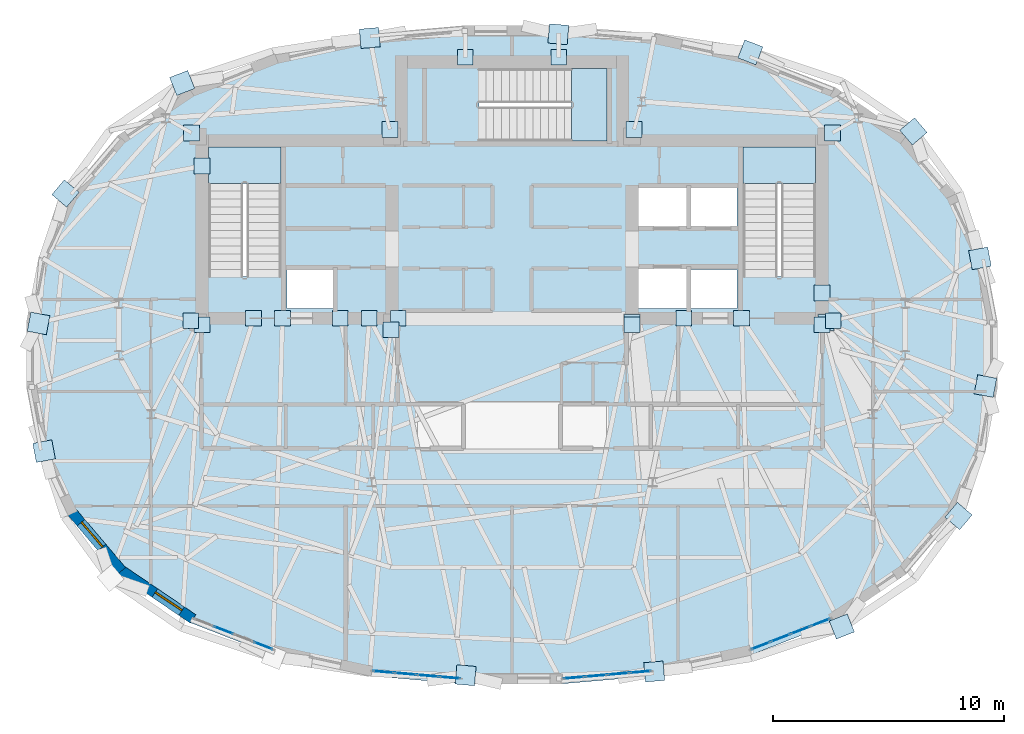
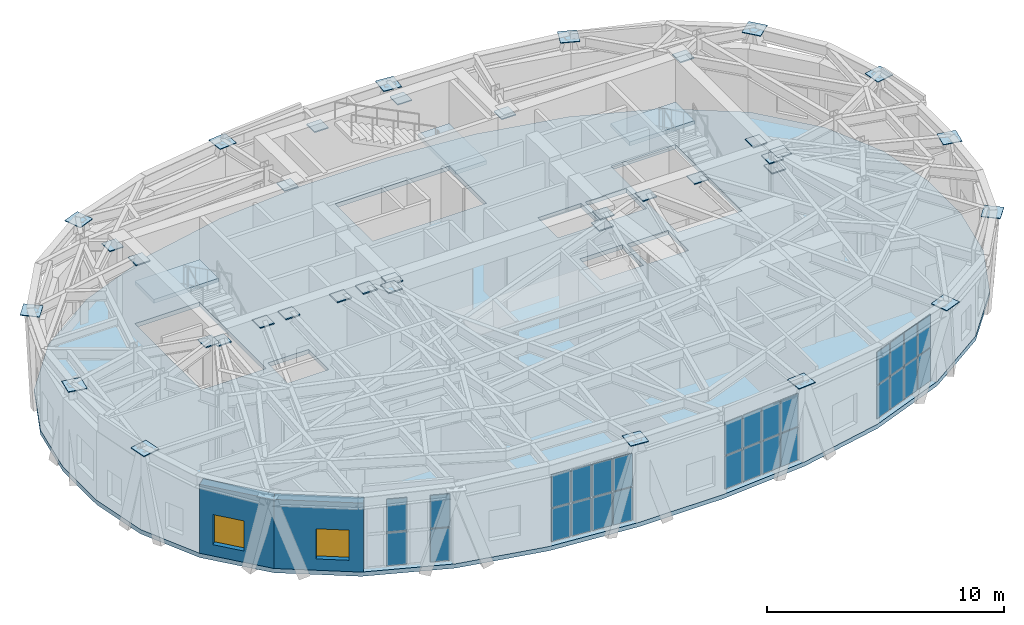
# One storey, part 7 of 15: 65 plates, 4 slabs, 2 walls, 2 windows, 2 openings, 7 elements without a shape of their own.
"""IFC4 building model written with IfcOpenShell, lengths in metres."""

import ifcopenshell
import ifcopenshell.guid

model = None  # the IFC model being written
_history = None  # IfcOwnerHistory: only IFC2X3 demands one
_inside = {}  # id of a spatial element -> (the spatial element, [elements in it])
_under = {}  # id of a project, library or spatial element -> (it, [spatial elements below it])
_declared = {}  # id of a project -> (the project, [libraries it declares])
_typed = {}  # id of a type object -> (the type object, [elements of that type])
_made_of = {}  # id of a material, layer set ... -> (it, [elements and type objects made of it])


def new_model(schema):
    """Start an empty IFC model of exactly this schema.

    Asked for "IFC4X3", IfcOpenShell would pick the latest addendum, in which some entities
    have other attributes; the version numbers below select the first issue.
    IFC2X3 requires an IfcOwnerHistory on every rooted entity: one is made here for all.
    """
    global model, _history
    if schema == "IFC4X3":
        model = ifcopenshell.file(schema_version=(4, 3, 0, 0))
    else:
        model = ifcopenshell.file(schema=schema)
    _inside.clear()
    _under.clear()
    _declared.clear()
    _typed.clear()
    _made_of.clear()
    _history = None
    if model.schema == "IFC2X3":
        org = make("IfcOrganization", Name="unknown")
        user = make(
            "IfcPersonAndOrganization",
            ThePerson=make("IfcPerson", FamilyName="unknown"),
            TheOrganization=org,
        )
        app = make(
            "IfcApplication",
            ApplicationDeveloper=org,
            Version="unknown",
            ApplicationFullName="unknown",
            ApplicationIdentifier="unknown",
        )
        _history = make(
            "IfcOwnerHistory",
            OwningUser=user,
            OwningApplication=app,
            ChangeAction="ADDED",
            CreationDate=0,
        )
    return model


def make(cls, **values):
    """One entity of the class cls with the attributes given. An attribute that is None is left unset."""
    return model.create_entity(
        cls, **{name: value for name, value in values.items() if value is not None}
    )


def rooted(cls, **values):
    """An entity with a GlobalId (a new one), such as an element, a storey or a relation."""
    return make(cls, GlobalId=ifcopenshell.guid.new(), OwnerHistory=_history, **values)


def si_unit(unit_type, name, prefix=None):
    """IfcSIUnit, for example si_unit("LENGTHUNIT", "METRE", prefix="MILLI")."""
    return make("IfcSIUnit", UnitType=unit_type, Prefix=prefix, Name=name)


def assignment(units):
    """IfcUnitAssignment: the units of a project."""
    return None if units is None else make("IfcUnitAssignment", Units=units)


def point(xyz):
    """IfcCartesianPoint."""
    return None if xyz is None else make("IfcCartesianPoint", Coordinates=xyz)


def direction(xyz):
    """IfcDirection."""
    return None if xyz is None else make("IfcDirection", DirectionRatios=xyz)


def frame(location, z_axis=None, x_axis=None):
    """IfcAxis2Placement3D, a coordinate frame: its origin and axes. An axis left out is left unset."""
    return make(
        "IfcAxis2Placement3D",
        Location=point(location),
        Axis=direction(z_axis),
        RefDirection=direction(x_axis),
    )


def frame_2d(location, x_axis=None):
    """IfcAxis2Placement2D, a coordinate frame in the plane: its origin and x axis."""
    return make(
        "IfcAxis2Placement2D", Location=point(location), RefDirection=direction(x_axis)
    )


def origin():
    """The frame at (0, 0, 0) with its axes left unset."""
    return frame((0.0, 0.0, 0.0))


def origin_2d():
    """The frame at (0, 0) in the plane with its x axis left unset."""
    return frame_2d((0.0, 0.0))


def place(relative_to, where):
    """IfcLocalPlacement: puts the frame where relative to a parent placement (None: the world)."""
    return make(
        "IfcLocalPlacement", PlacementRelTo=relative_to, RelativePlacement=where
    )


def context(
    kind, dimensions, precision=None, world=None, true_north=None, identifier=None
):
    """IfcGeometricRepresentationContext, for example the 3D "Model" context."""
    return make(
        "IfcGeometricRepresentationContext",
        ContextIdentifier=identifier,
        ContextType=kind,
        CoordinateSpaceDimension=dimensions,
        Precision=precision,
        WorldCoordinateSystem=world,
        TrueNorth=true_north,
    )


def subcontext(parent, identifier, kind, view, scale=None):
    """IfcGeometricRepresentationSubContext, for example "Body" below "Model"."""
    return make(
        "IfcGeometricRepresentationSubContext",
        ContextIdentifier=identifier,
        ContextType=kind,
        ParentContext=parent,
        TargetScale=scale,
        TargetView=view,
    )


def project(units=None, contexts=None):
    """IfcProject with its units and contexts."""
    return rooted(
        "IfcProject",
        Name="project",
        RepresentationContexts=contexts,
        UnitsInContext=assignment(units),
    )


def spatial(cls, under=None, at=None, **own):
    """A site, building, storey or space (cls), placed at a placement, below another one or the project."""
    s = rooted(cls, ObjectPlacement=at, **own)
    if under is not None:
        _under.setdefault(under.id(), (under, []))[1].append(s)
    return s


def polyline(points):
    """IfcPolyline through the points."""
    return make("IfcPolyline", Points=[point(p) for p in points])


def profile(cls, at=None, kind="AREA", **sizes):
    """A parametric profile (cls). Its sizes go by their IFC names, for example OverallWidth=200.0."""
    return make(cls, ProfileType=kind, Position=at, **sizes)


def rectangle(**sizes):
    """IfcRectangleProfileDef."""
    return profile("IfcRectangleProfileDef", **sizes)


def outline(outer, holes=None, kind="AREA"):
    """IfcArbitraryClosedProfileDef: a profile drawn as a closed curve; with holes, ...WithVoids."""
    if holes is None:
        return make("IfcArbitraryClosedProfileDef", ProfileType=kind, OuterCurve=outer)
    return make(
        "IfcArbitraryProfileDefWithVoids",
        ProfileType=kind,
        OuterCurve=outer,
        InnerCurves=holes,
    )


def extrude(swept, where, along, depth):
    """IfcExtrudedAreaSolid: the profile swept, set in the frame where, extruded along a direction by depth."""
    return make(
        "IfcExtrudedAreaSolid",
        SweptArea=swept,
        Position=where,
        ExtrudedDirection=direction(along),
        Depth=depth,
    )


def shape(context_of_items, identifier, shape_type, items):
    """IfcShapeRepresentation: the items that make up one representation, for example the "Body"."""
    return make(
        "IfcShapeRepresentation",
        ContextOfItems=context_of_items,
        RepresentationIdentifier=identifier,
        RepresentationType=shape_type,
        Items=items,
    )


def material(Name=None, Category=None):
    """IfcMaterial."""
    return make("IfcMaterial", Name=Name, Category=Category)


def layer(
    of_material, thickness, ventilated=None, Name=None, Category=None, Priority=None
):
    """IfcMaterialLayer: one layer of a wall or slab, of a material (None: an air gap)."""
    return make(
        "IfcMaterialLayer",
        Material=of_material,
        LayerThickness=thickness,
        IsVentilated=ventilated,
        Name=Name,
        Category=Category,
        Priority=Priority,
    )


def layer_set(layers, Name=None):
    """IfcMaterialLayerSet."""
    return make("IfcMaterialLayerSet", MaterialLayers=layers, LayerSetName=Name)


def made_of(thing, what):
    """Note that an element or type object is made of a material, layer set ...; save() writes the relation."""
    if what is not None:
        _made_of.setdefault(what.id(), (what, []))[1].append(thing)
    return thing


def type_object(cls, material=None, **own):
    """A type object (cls), such as IfcWallType, which elements share."""
    return made_of(rooted(cls, **own), material)


def element(
    cls,
    number,
    at=None,
    inside=None,
    cuts=None,
    type_object=None,
    material=None,
    context=None,
    identifier="Body",
    shape_type=None,
    held_by="IfcProductDefinitionShape",
    body=None,
    shapes=None,
    **own,
):
    """One element of the class cls, such as IfcWall. Its Tag is "e" and its number.

    at: its placement. inside: the storey or other place that contains it. cuts: it is an
    opening in that element (IfcRelVoidsElement). A single representation is given by context,
    identifier, shape_type and body (its items); several are given by shapes. held_by: the class
    of the entity that holds the representations. save() writes the other relations.
    """
    e = rooted(cls, Tag="e%d" % number, ObjectPlacement=at, **own)
    if body is not None:
        shapes = [shape(context, identifier, shape_type, body)]
    if shapes is not None:
        e.Representation = make(held_by, Representations=shapes)
    if inside is not None:
        _inside.setdefault(inside.id(), (inside, []))[1].append(e)
    if cuts is not None:
        rooted(
            "IfcRelVoidsElement", RelatingBuildingElement=cuts, RelatedOpeningElement=e
        )
    if type_object is not None:
        _typed.setdefault(type_object.id(), (type_object, []))[1].append(e)
    return made_of(e, material)


def fill(opening, filler):
    """IfcRelFillsElement: the door or window that sits in an opening."""
    return rooted(
        "IfcRelFillsElement",
        RelatingOpeningElement=opening,
        RelatedBuildingElement=filler,
    )


def aggregate(whole, parts):
    """IfcRelAggregates: a whole, such as a stair, and the parts it consists of."""
    return rooted("IfcRelAggregates", RelatingObject=whole, RelatedObjects=parts)


def save(model, path):
    """Write the relations noted so far, then the file.

    IfcRelAggregates (storeys below a building ...), IfcRelContainedInSpatialStructure (elements
    in a storey), IfcRelDefinesByType, IfcRelAssociatesMaterial and IfcRelDeclares: one each for
    every whole, place, type object, material and project.
    """
    for whole, parts in _under.values():
        aggregate(whole, parts)
    for where, things in _inside.values():
        rooted(
            "IfcRelContainedInSpatialStructure",
            RelatedElements=things,
            RelatingStructure=where,
        )
    for kind, things in _typed.values():
        rooted("IfcRelDefinesByType", RelatedObjects=things, RelatingType=kind)
    for what, things in _made_of.values():
        rooted("IfcRelAssociatesMaterial", RelatedObjects=things, RelatingMaterial=what)
    for by, libraries in _declared.values():
        rooted("IfcRelDeclares", RelatingContext=by, RelatedDefinitions=libraries)
    model.write(path)


model = new_model("IFC4")

# Units and contexts
model_context = context("Model", 3, precision=1e-05, world=origin(), true_north=direction((0.0, 1.0)))
body_context = subcontext(model_context, "Body", "Model", "MODEL_VIEW")
ifc_project = project(units=[si_unit("LENGTHUNIT", "METRE"), si_unit("AREAUNIT", "SQUARE_METRE"), si_unit("VOLUMEUNIT", "CUBIC_METRE"), si_unit("PLANEANGLEUNIT", "RADIAN"), si_unit("MASSUNIT", "GRAM", prefix="KILO")], contexts=[model_context])

# Site, building, storey
site_placement = place(None, origin())
site = spatial("IfcSite", under=ifc_project, at=site_placement, CompositionType="ELEMENT")
building_placement = place(site_placement, origin())
building = spatial("IfcBuilding", under=site, at=building_placement, Name="Keldmark Tower", CompositionType="ELEMENT")
storey_placement = place(building_placement, frame((0.0, 0.0, 260.39990234375)))
storey = spatial("IfcBuildingStorey", under=building, at=storey_placement, Name="L74", CompositionType="ELEMENT", Elevation=260.39990234375)

# Plates
ifc_material_1 = material(Name="Steel ASTM A572 Grade 50", Category="steel")
ifc_layer_1 = layer(ifc_material_1, 0.06005859375)
ifc_layer_set_1 = layer_set([ifc_layer_1], Name="Steel ASTM A572 Grade 50")
plate_type_1 = type_object("IfcPlateType", Name="Belt Truss Kink Node Assembly KN01 60 mm", PredefinedType="USERDEFINED", material=ifc_layer_set_1)
for number, where, z_axis, x_axis, name in (
    (1, (13.91162109375, 1.473388671875, 3.88818359375), (0.0, 0.0, 1.0), (1.0, 0.0, 0.0), "L74 Core Wall Cast-In Embed Plate 2137"),
    (2, (13.878173828125, 9.608154296875, 3.88818359375), (0.0, 0.0, 1.0), (1.0, 0.0, 0.0), "L74 Core Wall Cast-In Embed Plate 2138"),
    (3, (5.28515625, 9.758544921875, 3.88818359375), (0.0, 0.0, 1.0), (1.0, 0.0, 0.0), "L74 Core Wall Cast-In Embed Plate 2139"),
    (4, (-5.28515625, 9.758544921875, 3.88818359375), (0.0, 0.0, 1.0), (1.0, 0.0, 0.0), "L74 Core Wall Cast-In Embed Plate 2140"),
    (5, (-13.878173828125, 9.608154296875, 3.88818359375), (0.0, 0.0, 1.0), (1.0, 0.0, 0.0), "L74 Core Wall Cast-In Embed Plate 2141"),
    (6, (-13.91162109375, 1.473388671875, 3.88818359375), (0.0, 0.0, 1.0), (1.0, 0.0, 0.0), "L74 Core Wall Cast-In Embed Plate 2142"),
    (7, (-5.24072265625, 1.08251953125, 3.88818359375), (0.0, 0.0, 1.0), (1.0, 0.0, 0.0), "L74 Core Wall Cast-In Embed Plate 2143"),
    (8, (5.199951171875, 1.39990234375, 3.25244140625), (0.0, 0.0, 1.0), (1.0, 0.0, 0.0), "L74 Core Wall Cast-In Embed Plate 2144"),
    (9, (13.60009765625, 1.39990234375, 3.25244140625), (0.0, 0.0, 1.0), (1.0, 0.0, 0.0), "L74 Core Wall Cast-In Embed Plate 2145"),
    (10, (2.025146484375, 12.8798828125, 3.88427734375), (0.0, 0.0, 1.0), (1.0, 0.0, 0.0), "L74 Core Wall Cast-In Embed Plate 2146"),
    (11, (-2.025146484375, 12.8798828125, 3.88427734375), (0.0, 0.0, 1.0), (1.0, 0.0, 0.0), "L74 Core Wall Cast-In Embed Plate 2147"),
    (12, (-11.19287109375, 1.574951171875, 3.88427734375), (0.0, 0.0, 1.0), (1.0, 0.0, 0.0), "L74 Core Wall Cast-In Embed Plate 2148"),
    (13, (-7.43212890625, 1.574951171875, 3.88427734375), (0.0, 0.0, 1.0), (1.0, 0.0, 0.0), "L74 Core Wall Cast-In Embed Plate 2149"),
    (14, (7.43212890625, 1.574951171875, 3.88427734375), (0.0, 0.0, 1.0), (1.0, 0.0, 0.0), "L74 Core Wall Cast-In Embed Plate 2150"),
    (15, (-6.1787109375, 1.574951171875, 3.88427734375), (0.0, 0.0, 1.0), (1.0, 0.0, 0.0), "L74 Core Wall Cast-In Embed Plate 2151"),
    (16, (5.199951171875, 1.300048828125, 3.88427734375), (0.0, 0.0, 1.0), (1.0, 0.0, 0.0), "L74 Core Wall Cast-In Embed Plate 2152"),
    (17, (13.425048828125, 1.300048828125, 3.88427734375), (0.0, 0.0, 1.0), (1.0, 0.0, 0.0), "L74 Core Wall Cast-In Embed Plate 2153"),
    (18, (13.425048828125, 2.675048828125, 3.88427734375), (0.0, 0.0, 1.0), (1.0, 0.0, 0.0), "L74 Core Wall Cast-In Embed Plate 2154"),
    (19, (-13.425048828125, 1.300048828125, 3.88427734375), (0.0, 0.0, 1.0), (1.0, 0.0, 0.0), "L74 Core Wall Cast-In Embed Plate 2155"),
    (20, (-9.939208984375, 1.574951171875, 3.88427734375), (0.0, 0.0, 1.0), (1.0, 0.0, 0.0), "L74 Core Wall Cast-In Embed Plate 2156"),
    (21, (-4.925048828125, 1.574951171875, 3.88427734375), (0.0, 0.0, 1.0), (1.0, 0.0, 0.0), "L74 Core Wall Cast-In Embed Plate 2157"),
    (22, (9.939208984375, 1.574951171875, 3.88427734375), (0.0, 0.0, 1.0), (1.0, 0.0, 0.0), "L74 Core Wall Cast-In Embed Plate 2158"),
    (23, (-13.425048828125, 8.175048828125, 3.88427734375), (0.0, 0.0, 1.0), (1.0, 0.0, 0.0), "L74 Core Wall Cast-In Embed Plate 2159"),
):
    element("IfcPlate", number, at=place(storey_placement, frame(where, z_axis=z_axis, x_axis=x_axis)), inside=storey, type_object=plate_type_1, Name=name, ObjectType="CAP PLATE", PredefinedType="USERDEFINED", context=body_context, shape_type="SweptSolid", body=[
        extrude(rectangle(XDim=0.679931640625, YDim=0.679931640625, at=origin_2d()), origin(), (0.0, 0.0, 1.0), 0.054931640625),
    ])
ifc_material_2 = material(Name="Steel ASTM A572 Grade 50", Category="steel")
ifc_layer_2 = layer(ifc_material_2, 0.034912109375)
ifc_layer_set_2 = layer_set([ifc_layer_2], Name="Steel ASTM A572 Grade 50")
plate_type_2 = type_object("IfcPlateType", Name="Diagrid Node Assembly DN06 35 mm", PredefinedType="USERDEFINED", material=ifc_layer_set_2)
for number, where, z_axis, x_axis, name in (
    (24, (20.265869140625, 4.174072265625, 4.04248046875), (0.0, 0.0, 1.0), (-0.185666615386, 0.982612796544, 0.0), "L74 Diagrid Node Assembly 01"),
    (25, (17.3857421875, 9.673828125, 4.04248046875), (0.0, 0.0, 1.0), (-0.647055961569, 0.762442511011, 0.0), "L74 Diagrid Node Assembly 03"),
    (26, (10.322998046875, 13.094970703125, 4.04248046875), (0.0, 0.0, 1.0), (-0.931627814096, 0.363413835735, 0.0), "L74 Diagrid Node Assembly 05"),
    (27, (2.0078125, 13.881591796875, 4.04248046875), (0.0, 0.0, 1.0), (-0.996255301507, 0.086460246466, 0.0), "L74 Diagrid Node Assembly 07"),
    (28, (-6.159912109375, 13.719482421875, 4.04248046875), (0.0, 0.0, 1.0), (-0.996255301507, -0.086460246466, 0.0), "L74 Diagrid Node Assembly 09"),
    (29, (-14.283203125, 11.769287109375, 4.04248046875), (0.0, 0.0, 1.0), (-0.931627814096, -0.363413835735, 0.0), "L74 Diagrid Node Assembly 11"),
    (30, (-19.338134765625, 6.986083984375, 4.04248046875), (0.0, 0.0, 1.0), (-0.647055961569, -0.762442511011, 0.0), "L74 Diagrid Node Assembly 13"),
    (31, (-20.50390625, 1.35546875, 4.04248046875), (0.0, 0.0, 1.0), (-0.185666615386, -0.982612796544, 0.0), "L74 Diagrid Node Assembly 15"),
    (32, (-20.265869140625, -4.174072265625, 4.04248046875), (0.0, 0.0, 1.0), (0.185666615386, -0.982612796544, 0.0), "L74 Diagrid Node Assembly 17"),
    (33, (-2.0078125, -13.881591796875, 4.04248046875), (0.0, 0.0, 1.0), (0.996255301507, -0.086460246466, 0.0), "L74 Diagrid Node Assembly 23"),
    (34, (6.159912109375, -13.719482421875, 4.04248046875), (0.0, 0.0, 1.0), (0.996255301507, 0.086460246466, 0.0), "L74 Diagrid Node Assembly 25"),
    (35, (14.283203125, -11.769287109375, 4.04248046875), (0.0, 0.0, 1.0), (0.931627814096, 0.363413835735, 0.0), "L74 Diagrid Node Assembly 27"),
    (36, (19.338134765625, -6.986083984375, 4.04248046875), (0.0, 0.0, 1.0), (0.647055961569, 0.762442511011, 0.0), "L74 Diagrid Node Assembly 29"),
    (37, (20.50390625, -1.35546875, 4.04248046875), (0.0, 0.0, 1.0), (0.185666615386, 0.982612796544, 0.0), "L74 Diagrid Node Assembly 31"),
):
    element("IfcPlate", number, at=place(storey_placement, frame(where, z_axis=z_axis, x_axis=x_axis)), inside=storey, type_object=plate_type_2, Name=name, ObjectType="GUSSET", PredefinedType="USERDEFINED", context=body_context, shape_type="SweptSolid", body=[
        extrude(rectangle(XDim=0.840087890625, YDim=0.840087890625, at=origin_2d()), origin(), (0.0, 0.0, 1.0), 0.034912109375),
    ])

# Stair, slab
ifc_material_3 = material(Name="Concrete C40/50", Category="concrete")
stair_type = type_object("IfcStairType", Name="Precast Concrete Core Exit Stair", PredefinedType="HALF_TURN_STAIR", material=ifc_material_3)
stair_1_placement = place(storey_placement, origin())
stair_1 = element("IfcStair", 38, at=stair_1_placement, inside=storey, type_object=stair_type, Name="L74 Exit Stair ST1", PredefinedType="HALF_TURN_STAIR")
ifc_material_4 = material(Name="Concrete C40/50", Category="concrete")
ifc_layer_3 = layer(ifc_material_4, 0.199951171875)
ifc_layer_set_3 = layer_set([ifc_layer_3], Name="Concrete C40/50")
slab_type_1 = type_object("IfcSlabType", Name="Reinforced Concrete Stair Landing 200 mm", PredefinedType="LANDING", material=ifc_layer_set_3)
slab_1_placement = place(storey_placement, frame((0.0, 0.0, 2.0)))
slab_1 = element("IfcSlab", 39, at=slab_1_placement, type_object=slab_type_1, Name="ST1 landing 1", PredefinedType="LANDING", context=body_context, shape_type="SweptSolid", body=[
    extrude(outline(polyline([(-10.0, 7.409912109375), (-10.0, 9.0), (-13.14990234375, 9.0), (-13.14990234375, 7.409912109375), (-10.0, 7.409912109375)])), origin(), (0.0, 0.0, 1.0), 0.2001953125),
])
aggregate(stair_1, [slab_1])

stair_2_placement = place(storey_placement, origin())
stair_2 = element("IfcStair", 40, at=stair_2_placement, inside=storey, type_object=stair_type, Name="L74 Exit Stair ST2", PredefinedType="HALF_TURN_STAIR")
slab_2_placement = place(storey_placement, frame((0.0, 0.0, 2.0)))
slab_2 = element("IfcSlab", 41, at=slab_2_placement, type_object=slab_type_1, Name="ST2 landing 1", PredefinedType="LANDING", context=body_context, shape_type="SweptSolid", body=[
    extrude(outline(polyline([(13.14990234375, 7.409912109375), (13.14990234375, 9.0), (10.0, 9.0), (10.0, 7.409912109375), (13.14990234375, 7.409912109375)])), origin(), (0.0, 0.0, 1.0), 0.2001953125),
])
aggregate(stair_2, [slab_2])

stair_3_placement = place(storey_placement, origin())
stair_3 = element("IfcStair", 42, at=stair_3_placement, inside=storey, type_object=stair_type, Name="L74 Exit Stair ST3", PredefinedType="HALF_TURN_STAIR")
slab_3_placement = place(storey_placement, frame((0.0, 0.0, 2.0)))
slab_3 = element("IfcSlab", 43, at=slab_3_placement, type_object=slab_type_1, Name="ST3 landing 1", PredefinedType="LANDING", context=body_context, shape_type="SweptSolid", body=[
    extrude(outline(polyline([(2.5849609375, 9.25), (4.10498046875, 9.25), (4.10498046875, 12.39990234375), (2.5849609375, 12.39990234375), (2.5849609375, 9.25)])), origin(), (0.0, 0.0, 1.0), 0.2001953125),
])
aggregate(stair_3, [slab_3])

# Slab
ifc_material_5 = material(Name="Concrete C35/45", Category="concrete")
ifc_layer_4 = layer(ifc_material_5, 0.219970703125)
ifc_layer_set_4 = layer_set([ifc_layer_4], Name="Concrete C35/45")
slab_type_2 = type_object("IfcSlabType", Name="Sky Lobby Floor Slab 220 mm", PredefinedType="FLOOR", material=ifc_layer_set_4)
slab_4_placement = place(storey_placement, frame((0.0, 0.0, -0.219970703125)))
element("IfcSlab", 44, at=slab_4_placement, inside=storey, type_object=slab_type_2, Name="L74 Composite Structural Floor Slab", PredefinedType="FLOOR", context=body_context, shape_type="SweptSolid", body=[
    extrude(outline(polyline([(21.03369140625, 1.404296875), (20.50244140625, 4.21630859375), (19.221435546875, 6.965087890625), (17.07177734375, 9.498046875), (14.010498046875, 11.5732421875), (10.274169921875, 13.03076171875), (6.219482421875, 13.899169921875), (2.071533203125, 14.25927734375), (-2.071533203125, 14.25927734375), (-6.219482421875, 13.899169921875), (-10.274169921875, 13.03076171875), (-14.010498046875, 11.5732421875), (-17.07177734375, 9.498046875), (-19.221435546875, 6.965087890625), (-20.50244140625, 4.21630859375), (-21.03369140625, 1.404296875), (-21.03369140625, -1.404296875), (-20.50244140625, -4.21630859375), (-19.221435546875, -6.965087890625), (-17.07177734375, -9.498046875), (-14.010498046875, -11.5732421875), (-10.274169921875, -13.03076171875), (-6.219482421875, -13.899169921875), (-2.071533203125, -14.25927734375), (2.071533203125, -14.25927734375), (6.219482421875, -13.899169921875), (10.274169921875, -13.03076171875), (14.010498046875, -11.5732421875), (17.07177734375, -9.498046875), (19.221435546875, -6.965087890625), (20.50244140625, -4.21630859375), (21.03369140625, -1.404296875), (21.03369140625, 1.404296875)]), holes=[polyline([(-10.0, 3.385009765625), (-10.0, 9.0), (-13.14990234375, 9.0), (-13.14990234375, 3.385009765625), (-10.0, 3.385009765625)]), polyline([(13.14990234375, 3.385009765625), (13.14990234375, 9.0), (10.0, 9.0), (10.0, 3.385009765625), (13.14990234375, 3.385009765625)]), polyline([(-1.43994140625, 9.25), (4.10498046875, 9.25), (4.10498046875, 12.39990234375), (-1.43994140625, 12.39990234375), (-1.43994140625, 9.25)]), polyline([(-9.75, 2.0), (-7.75, 2.0), (-7.75, 3.699951171875), (-9.75, 3.699951171875), (-9.75, 2.0)]), polyline([(7.75, 2.0), (9.75, 2.0), (9.75, 3.699951171875), (7.75, 3.699951171875), (7.75, 2.0)]), polyline([(5.449951171875, 2.0), (7.550048828125, 2.0), (7.550048828125, 3.75), (5.449951171875, 3.75), (5.449951171875, 2.0)]), polyline([(5.449951171875, 5.550048828125), (7.550048828125, 5.550048828125), (7.550048828125, 7.25), (5.449951171875, 7.25), (5.449951171875, 5.550048828125)]), polyline([(7.75, 5.550048828125), (9.75, 5.550048828125), (9.75, 7.25), (7.75, 7.25), (7.75, 5.550048828125)])]), origin(), (0.0, 0.0, 1.0), 0.219970703125),
])

# Curtain wall, plates
ifc_material_6 = material(Name="Unitized Thermally Broken Aluminum and Triple Low-E Glazing", Category="aluminium")
ifc_layer_5 = layer(ifc_material_6, 0.219970703125)
ifc_layer_set_5 = layer_set([ifc_layer_5], Name="Unitized Thermally Broken Aluminum and Triple Low-E Glazing")
curtain_wall_type = type_object("IfcCurtainWallType", Name="Public Observation Lookout Curtain Wall System", PredefinedType="NOTDEFINED", material=ifc_layer_set_5)
curtain_wall_1_placement = place(storey_placement, origin())
curtain_wall_1 = element("IfcCurtainWall", 45, at=curtain_wall_1_placement, inside=storey, type_object=curtain_wall_type, Name="L74 Public Observation Lookout Curtain Wall System CW-L74-21", PredefinedType="NOTDEFINED")
ifc_material_7 = material(Name="Triple Silver Low-E Insulated Glass Unit", Category="glass")
ifc_layer_6 = layer(ifc_material_7, 0.035888671875)
ifc_layer_set_6 = layer_set([ifc_layer_6], Name="Triple Silver Low-E Insulated Glass Unit")
plate_type_3 = type_object("IfcPlateType", Name="Triple Low-E Vision Glazing Panel 36 mm", PredefinedType="CURTAIN_PANEL", material=ifc_layer_set_6)
plate_1_placement = place(storey_placement, frame((-10.77294921875, -12.599853515625, 0.06005859375), z_axis=(0.0, 0.0, 1.0), x_axis=(-0.931640489494, 0.363381340105, 0.0)))
plate_1 = element("IfcPlate", 46, at=plate_1_placement, type_object=plate_type_3, Name="CW panel 1.1", PredefinedType="CURTAIN_PANEL", context=body_context, shape_type="SweptSolid", body=[
    extrude(rectangle(XDim=0.842529296875, YDim=0.035888671875, at=origin_2d()), origin(), (0.0, 0.0, 1.0), 1.68310546875),
])
plate_2_placement = place(storey_placement, frame((-10.77294921875, -12.599853515625, 1.802978515625), z_axis=(0.0, 0.0, 1.0), x_axis=(-0.931640489494, 0.363381340105, 0.0)))
plate_2 = element("IfcPlate", 47, at=plate_2_placement, type_object=plate_type_3, Name="CW panel 1.2", PredefinedType="CURTAIN_PANEL", context=body_context, shape_type="SweptSolid", body=[
    extrude(rectangle(XDim=0.842529296875, YDim=0.035888671875, at=origin_2d()), origin(), (0.0, 0.0, 1.0), 1.68310546875),
])
plate_3_placement = place(storey_placement, frame((-12.496826171875, -11.927490234375, 0.06005859375), z_axis=(0.0, 0.0, 1.0), x_axis=(-0.931640489494, 0.363381340105, 0.0)))
plate_3 = element("IfcPlate", 48, at=plate_3_placement, type_object=plate_type_3, Name="CW panel 3.1", PredefinedType="CURTAIN_PANEL", context=body_context, shape_type="SweptSolid", body=[
    extrude(rectangle(XDim=0.87255859375, YDim=0.035888671875, at=origin_2d()), origin(), (0.0, 0.0, 1.0), 1.68310546875),
])
plate_4_placement = place(storey_placement, frame((-12.496826171875, -11.927490234375, 1.802978515625), z_axis=(0.0, 0.0, 1.0), x_axis=(-0.931640489494, 0.363381340105, 0.0)))
plate_4 = element("IfcPlate", 49, at=plate_4_placement, type_object=plate_type_3, Name="CW panel 3.2", PredefinedType="CURTAIN_PANEL", context=body_context, shape_type="SweptSolid", body=[
    extrude(rectangle(XDim=0.87255859375, YDim=0.035888671875, at=origin_2d()), origin(), (0.0, 0.0, 1.0), 1.68310546875),
])
aggregate(curtain_wall_1, [plate_1, plate_2, plate_3, plate_4])

curtain_wall_2_placement = place(storey_placement, origin())
curtain_wall_2 = element("IfcCurtainWall", 50, at=curtain_wall_2_placement, inside=storey, type_object=curtain_wall_type, Name="L74 Public Observation Lookout Curtain Wall System CW-L74-23", PredefinedType="NOTDEFINED")
plate_5_placement = place(storey_placement, frame((-2.690673828125, -13.984619140625, 0.06005859375), z_axis=(0.0, 0.0, 1.0), x_axis=(-0.996254296677, 0.086471824043, 0.0)))
plate_5 = element("IfcPlate", 51, at=plate_5_placement, type_object=plate_type_3, Name="CW panel 1.1", PredefinedType="CURTAIN_PANEL", context=body_context, shape_type="SweptSolid", body=[
    extrude(rectangle(XDim=0.880859375, YDim=0.035888671875, at=origin_2d()), origin(), (0.0, 0.0, 1.0), 1.68310546875),
])
plate_6_placement = place(storey_placement, frame((-2.690673828125, -13.984619140625, 1.802978515625), z_axis=(0.0, 0.0, 1.0), x_axis=(-0.996254296677, 0.086471824043, 0.0)))
plate_6 = element("IfcPlate", 52, at=plate_6_placement, type_object=plate_type_3, Name="CW panel 1.2", PredefinedType="CURTAIN_PANEL", context=body_context, shape_type="SweptSolid", body=[
    extrude(rectangle(XDim=0.880859375, YDim=0.035888671875, at=origin_2d()), origin(), (0.0, 0.0, 1.0), 1.68310546875),
])
plate_7_placement = place(storey_placement, frame((-3.642822265625, -13.90185546875, 0.06005859375), z_axis=(0.0, 0.0, 1.0), x_axis=(-0.996254296677, 0.086471824043, 0.0)))
plate_7 = element("IfcPlate", 53, at=plate_7_placement, type_object=plate_type_3, Name="CW panel 2.1", PredefinedType="CURTAIN_PANEL", context=body_context, shape_type="SweptSolid", body=[
    extrude(rectangle(XDim=0.910888671875, YDim=0.035888671875, at=origin_2d()), origin(), (0.0, 0.0, 1.0), 1.68310546875),
])
plate_8_placement = place(storey_placement, frame((-3.642822265625, -13.90185546875, 1.802978515625), z_axis=(0.0, 0.0, 1.0), x_axis=(-0.996254296677, 0.086471824043, 0.0)))
plate_8 = element("IfcPlate", 54, at=plate_8_placement, type_object=plate_type_3, Name="CW panel 2.2", PredefinedType="CURTAIN_PANEL", context=body_context, shape_type="SweptSolid", body=[
    extrude(rectangle(XDim=0.910888671875, YDim=0.035888671875, at=origin_2d()), origin(), (0.0, 0.0, 1.0), 1.68310546875),
])
plate_9_placement = place(storey_placement, frame((-4.610107421875, -13.818115234375, 0.06005859375), z_axis=(0.0, 0.0, 1.0), x_axis=(-0.996254296677, 0.086471824043, 0.0)))
plate_9 = element("IfcPlate", 55, at=plate_9_placement, type_object=plate_type_3, Name="CW panel 3.1", PredefinedType="CURTAIN_PANEL", context=body_context, shape_type="SweptSolid", body=[
    extrude(rectangle(XDim=0.910888671875, YDim=0.035888671875, at=origin_2d()), origin(), (0.0, 0.0, 1.0), 1.68310546875),
])
plate_10_placement = place(storey_placement, frame((-4.610107421875, -13.818115234375, 1.802978515625), z_axis=(0.0, 0.0, 1.0), x_axis=(-0.996254296677, 0.086471824043, 0.0)))
plate_10 = element("IfcPlate", 56, at=plate_10_placement, type_object=plate_type_3, Name="CW panel 3.2", PredefinedType="CURTAIN_PANEL", context=body_context, shape_type="SweptSolid", body=[
    extrude(rectangle(XDim=0.910888671875, YDim=0.035888671875, at=origin_2d()), origin(), (0.0, 0.0, 1.0), 1.68310546875),
])
plate_11_placement = place(storey_placement, frame((-5.562255859375, -13.7353515625, 0.06005859375), z_axis=(0.0, 0.0, 1.0), x_axis=(-0.996254296677, 0.086471824043, 0.0)))
plate_11 = element("IfcPlate", 57, at=plate_11_placement, type_object=plate_type_3, Name="CW panel 4.1", PredefinedType="CURTAIN_PANEL", context=body_context, shape_type="SweptSolid", body=[
    extrude(rectangle(XDim=0.880859375, YDim=0.035888671875, at=origin_2d()), origin(), (0.0, 0.0, 1.0), 1.68310546875),
])
plate_12_placement = place(storey_placement, frame((-5.562255859375, -13.7353515625, 1.802978515625), z_axis=(0.0, 0.0, 1.0), x_axis=(-0.996254296677, 0.086471824043, 0.0)))
plate_12 = element("IfcPlate", 58, at=plate_12_placement, type_object=plate_type_3, Name="CW panel 4.2", PredefinedType="CURTAIN_PANEL", context=body_context, shape_type="SweptSolid", body=[
    extrude(rectangle(XDim=0.880859375, YDim=0.035888671875, at=origin_2d()), origin(), (0.0, 0.0, 1.0), 1.68310546875),
])
aggregate(curtain_wall_2, [plate_5, plate_6, plate_7, plate_8, plate_9, plate_10, plate_11, plate_12])

curtain_wall_3_placement = place(storey_placement, origin())
curtain_wall_3 = element("IfcCurtainWall", 59, at=curtain_wall_3_placement, inside=storey, type_object=curtain_wall_type, Name="L74 Public Observation Lookout Curtain Wall System CW-L74-25", PredefinedType="NOTDEFINED")
plate_13_placement = place(storey_placement, frame((5.562255859375, -13.7353515625, 0.06005859375), z_axis=(0.0, 0.0, 1.0), x_axis=(-0.996254296677, -0.086471824043, 0.0)))
plate_13 = element("IfcPlate", 60, at=plate_13_placement, type_object=plate_type_3, Name="CW panel 1.1", PredefinedType="CURTAIN_PANEL", context=body_context, shape_type="SweptSolid", body=[
    extrude(rectangle(XDim=0.880859375, YDim=0.035888671875, at=origin_2d()), origin(), (0.0, 0.0, 1.0), 1.68310546875),
])
plate_14_placement = place(storey_placement, frame((5.562255859375, -13.7353515625, 1.802978515625), z_axis=(0.0, 0.0, 1.0), x_axis=(-0.996254296677, -0.086471824043, 0.0)))
plate_14 = element("IfcPlate", 61, at=plate_14_placement, type_object=plate_type_3, Name="CW panel 1.2", PredefinedType="CURTAIN_PANEL", context=body_context, shape_type="SweptSolid", body=[
    extrude(rectangle(XDim=0.880859375, YDim=0.035888671875, at=origin_2d()), origin(), (0.0, 0.0, 1.0), 1.68310546875),
])
plate_15_placement = place(storey_placement, frame((4.610107421875, -13.818115234375, 0.06005859375), z_axis=(0.0, 0.0, 1.0), x_axis=(-0.996254296677, -0.086471824043, 0.0)))
plate_15 = element("IfcPlate", 62, at=plate_15_placement, type_object=plate_type_3, Name="CW panel 2.1", PredefinedType="CURTAIN_PANEL", context=body_context, shape_type="SweptSolid", body=[
    extrude(rectangle(XDim=0.910888671875, YDim=0.035888671875, at=origin_2d()), origin(), (0.0, 0.0, 1.0), 1.68310546875),
])
plate_16_placement = place(storey_placement, frame((4.610107421875, -13.818115234375, 1.802978515625), z_axis=(0.0, 0.0, 1.0), x_axis=(-0.996254296677, -0.086471824043, 0.0)))
plate_16 = element("IfcPlate", 63, at=plate_16_placement, type_object=plate_type_3, Name="CW panel 2.2", PredefinedType="CURTAIN_PANEL", context=body_context, shape_type="SweptSolid", body=[
    extrude(rectangle(XDim=0.910888671875, YDim=0.035888671875, at=origin_2d()), origin(), (0.0, 0.0, 1.0), 1.68310546875),
])
plate_17_placement = place(storey_placement, frame((3.642822265625, -13.90185546875, 0.06005859375), z_axis=(0.0, 0.0, 1.0), x_axis=(-0.996254296677, -0.086471824043, 0.0)))
plate_17 = element("IfcPlate", 64, at=plate_17_placement, type_object=plate_type_3, Name="CW panel 3.1", PredefinedType="CURTAIN_PANEL", context=body_context, shape_type="SweptSolid", body=[
    extrude(rectangle(XDim=0.910888671875, YDim=0.035888671875, at=origin_2d()), origin(), (0.0, 0.0, 1.0), 1.68310546875),
])
plate_18_placement = place(storey_placement, frame((3.642822265625, -13.90185546875, 1.802978515625), z_axis=(0.0, 0.0, 1.0), x_axis=(-0.996254296677, -0.086471824043, 0.0)))
plate_18 = element("IfcPlate", 65, at=plate_18_placement, type_object=plate_type_3, Name="CW panel 3.2", PredefinedType="CURTAIN_PANEL", context=body_context, shape_type="SweptSolid", body=[
    extrude(rectangle(XDim=0.910888671875, YDim=0.035888671875, at=origin_2d()), origin(), (0.0, 0.0, 1.0), 1.68310546875),
])
plate_19_placement = place(storey_placement, frame((2.690673828125, -13.984619140625, 0.06005859375), z_axis=(0.0, 0.0, 1.0), x_axis=(-0.996254296677, -0.086471824043, 0.0)))
plate_19 = element("IfcPlate", 66, at=plate_19_placement, type_object=plate_type_3, Name="CW panel 4.1", PredefinedType="CURTAIN_PANEL", context=body_context, shape_type="SweptSolid", body=[
    extrude(rectangle(XDim=0.880859375, YDim=0.035888671875, at=origin_2d()), origin(), (0.0, 0.0, 1.0), 1.68310546875),
])
plate_20_placement = place(storey_placement, frame((2.690673828125, -13.984619140625, 1.802978515625), z_axis=(0.0, 0.0, 1.0), x_axis=(-0.996254296677, -0.086471824043, 0.0)))
plate_20 = element("IfcPlate", 67, at=plate_20_placement, type_object=plate_type_3, Name="CW panel 4.2", PredefinedType="CURTAIN_PANEL", context=body_context, shape_type="SweptSolid", body=[
    extrude(rectangle(XDim=0.880859375, YDim=0.035888671875, at=origin_2d()), origin(), (0.0, 0.0, 1.0), 1.68310546875),
])
aggregate(curtain_wall_3, [plate_13, plate_14, plate_15, plate_16, plate_17, plate_18, plate_19, plate_20])

curtain_wall_4_placement = place(storey_placement, origin())
curtain_wall_4 = element("IfcCurtainWall", 68, at=curtain_wall_4_placement, inside=storey, type_object=curtain_wall_type, Name="L74 Public Observation Lookout Curtain Wall System CW-L74-27", PredefinedType="NOTDEFINED")
plate_21_placement = place(storey_placement, frame((13.351806640625, -11.593994140625, 0.06005859375), z_axis=(0.0, 0.0, 1.0), x_axis=(-0.931640489494, -0.363381340105, 0.0)))
plate_21 = element("IfcPlate", 69, at=plate_21_placement, type_object=plate_type_3, Name="CW panel 1.1", PredefinedType="CURTAIN_PANEL", context=body_context, shape_type="SweptSolid", body=[
    extrude(rectangle(XDim=0.842529296875, YDim=0.035888671875, at=origin_2d()), origin(), (0.0, 0.0, 1.0), 1.68310546875),
])
plate_22_placement = place(storey_placement, frame((13.351806640625, -11.593994140625, 1.802978515625), z_axis=(0.0, 0.0, 1.0), x_axis=(-0.931640489494, -0.363381340105, 0.0)))
plate_22 = element("IfcPlate", 70, at=plate_22_placement, type_object=plate_type_3, Name="CW panel 1.2", PredefinedType="CURTAIN_PANEL", context=body_context, shape_type="SweptSolid", body=[
    extrude(rectangle(XDim=0.842529296875, YDim=0.035888671875, at=origin_2d()), origin(), (0.0, 0.0, 1.0), 1.68310546875),
])
plate_23_placement = place(storey_placement, frame((12.496826171875, -11.927490234375, 0.06005859375), z_axis=(0.0, 0.0, 1.0), x_axis=(-0.931640489494, -0.363381340105, 0.0)))
plate_23 = element("IfcPlate", 71, at=plate_23_placement, type_object=plate_type_3, Name="CW panel 2.1", PredefinedType="CURTAIN_PANEL", context=body_context, shape_type="SweptSolid", body=[
    extrude(rectangle(XDim=0.87255859375, YDim=0.035888671875, at=origin_2d()), origin(), (0.0, 0.0, 1.0), 1.68310546875),
])
plate_24_placement = place(storey_placement, frame((12.496826171875, -11.927490234375, 1.802978515625), z_axis=(0.0, 0.0, 1.0), x_axis=(-0.931640489494, -0.363381340105, 0.0)))
plate_24 = element("IfcPlate", 72, at=plate_24_placement, type_object=plate_type_3, Name="CW panel 2.2", PredefinedType="CURTAIN_PANEL", context=body_context, shape_type="SweptSolid", body=[
    extrude(rectangle(XDim=0.87255859375, YDim=0.035888671875, at=origin_2d()), origin(), (0.0, 0.0, 1.0), 1.68310546875),
])
plate_25_placement = place(storey_placement, frame((11.6279296875, -12.266357421875, 0.06005859375), z_axis=(0.0, 0.0, 1.0), x_axis=(-0.931640489494, -0.363381340105, 0.0)))
plate_25 = element("IfcPlate", 73, at=plate_25_placement, type_object=plate_type_3, Name="CW panel 3.1", PredefinedType="CURTAIN_PANEL", context=body_context, shape_type="SweptSolid", body=[
    extrude(rectangle(XDim=0.87255859375, YDim=0.035888671875, at=origin_2d()), origin(), (0.0, 0.0, 1.0), 1.68310546875),
])
plate_26_placement = place(storey_placement, frame((11.6279296875, -12.266357421875, 1.802978515625), z_axis=(0.0, 0.0, 1.0), x_axis=(-0.931640489494, -0.363381340105, 0.0)))
plate_26 = element("IfcPlate", 74, at=plate_26_placement, type_object=plate_type_3, Name="CW panel 3.2", PredefinedType="CURTAIN_PANEL", context=body_context, shape_type="SweptSolid", body=[
    extrude(rectangle(XDim=0.87255859375, YDim=0.035888671875, at=origin_2d()), origin(), (0.0, 0.0, 1.0), 1.68310546875),
])
plate_27_placement = place(storey_placement, frame((10.77294921875, -12.599853515625, 0.06005859375), z_axis=(0.0, 0.0, 1.0), x_axis=(-0.931640489494, -0.363381340105, 0.0)))
plate_27 = element("IfcPlate", 75, at=plate_27_placement, type_object=plate_type_3, Name="CW panel 4.1", PredefinedType="CURTAIN_PANEL", context=body_context, shape_type="SweptSolid", body=[
    extrude(rectangle(XDim=0.842529296875, YDim=0.035888671875, at=origin_2d()), origin(), (0.0, 0.0, 1.0), 1.68310546875),
])
plate_28_placement = place(storey_placement, frame((10.77294921875, -12.599853515625, 1.802978515625), z_axis=(0.0, 0.0, 1.0), x_axis=(-0.931640489494, -0.363381340105, 0.0)))
plate_28 = element("IfcPlate", 76, at=plate_28_placement, type_object=plate_type_3, Name="CW panel 4.2", PredefinedType="CURTAIN_PANEL", context=body_context, shape_type="SweptSolid", body=[
    extrude(rectangle(XDim=0.842529296875, YDim=0.035888671875, at=origin_2d()), origin(), (0.0, 0.0, 1.0), 1.68310546875),
])
aggregate(curtain_wall_4, [plate_21, plate_22, plate_23, plate_24, plate_25, plate_26, plate_27, plate_28])

# Wall, opening, window
ifc_material_8 = material(Name="Ironspot Manganese Brick and Kasota Buff Limestone Spandrel Assembly", Category="masonry")
ifc_layer_7 = layer(ifc_material_8, 0.43994140625)
ifc_layer_set_7 = layer_set([ifc_layer_7], Name="Ironspot Manganese Brick and Kasota Buff Limestone Spandrel Assembly")
wall_type = type_object("IfcWallType", Name="Tower Brick Pier and Spandrel Wall 440 mm", PredefinedType="STANDARD", material=ifc_layer_set_7)
wall_1_placement = place(storey_placement, frame((-16.904052734375, -9.355712890625, 0.0), z_axis=(0.0, 0.0, 1.0), x_axis=(-0.647061604266, 0.762437722233, 0.0)))
wall_1 = element("IfcWall", 77, at=wall_1_placement, inside=storey, type_object=wall_type, Name="L74 Exterior Brick and Spandrel Wall 19", PredefinedType="STANDARD", context=body_context, shape_type="SweptSolid", body=[
    extrude(rectangle(XDim=3.322265625, YDim=0.43994140625, at=frame_2d((1.6611328125, 0.0))), origin(), (0.0, 0.0, 1.0), 3.546142578125),
])
opening_1_placement = place(wall_1_placement, frame((1.329345703125, 0.0, 0.580078125)))
opening_1 = element("IfcOpeningElement", 78, at=opening_1_placement, cuts=wall_1, Name="Opening W-08", PredefinedType="OPENING", context=body_context, shape_type="SweptSolid", body=[
    extrude(rectangle(XDim=1.39990234375, YDim=1.550048828125, at=frame_2d((0.699951171875, 0.77490234375))), frame((0.0, 0.22998046875, 0.0), z_axis=(0.0, -1.0, 0.0), x_axis=(1.0, 0.0, 0.0)), (0.0, 0.0, 1.0), 0.4599609375),
])
ifc_material_9 = material(Name="Thermally Broken Anodized Aluminum and Triple Low-E Argon Glazing", Category="aluminium")
window_type = type_object("IfcWindowType", Name="Residential Corner Punched Window 1400x1550", PartitioningType="SINGLE_PANEL", PredefinedType="WINDOW", material=ifc_material_9)
window_1_placement = place(opening_1_placement, origin())
window_1 = element("IfcWindow", 79, at=window_1_placement, inside=storey, type_object=window_type, Name="L74 Deep-Set Window 19", OverallHeight=1.550048828125, OverallWidth=1.39990234375, PartitioningType="SINGLE_PANEL", PredefinedType="WINDOW", context=body_context, shape_type="SweptSolid", body=[
    extrude(rectangle(XDim=1.39990234375, YDim=1.550048828125, at=frame_2d((0.699951171875, 0.77490234375))), frame((0.0, -0.010009765625, 0.0), z_axis=(0.0, -1.0, 0.0), x_axis=(1.0, 0.0, 0.0)), (0.0, 0.0, 1.0), 0.06005859375),
])
fill(opening_1, window_1)

wall_2_placement = place(storey_placement, frame((-13.816650390625, -11.43896484375, 0.0), z_axis=(0.0, 0.0, 1.0), x_axis=(-0.827716626187, 0.561146314908, 0.0)))
wall_2 = element("IfcWall", 80, at=wall_2_placement, inside=storey, type_object=wall_type, Name="L74 Exterior Brick and Spandrel Wall 20", PredefinedType="STANDARD", context=body_context, shape_type="SweptSolid", body=[
    extrude(rectangle(XDim=3.783447265625, YDim=0.43994140625, at=frame_2d((1.8916015625, 0.0))), origin(), (0.0, 0.0, 1.0), 3.550048828125),
])
opening_2_placement = place(wall_2_placement, frame((0.5966796875, 0.0, 0.580078125)))
opening_2 = element("IfcOpeningElement", 81, at=opening_2_placement, cuts=wall_2, Name="Opening W-08", PredefinedType="OPENING", context=body_context, shape_type="SweptSolid", body=[
    extrude(rectangle(XDim=1.39990234375, YDim=1.550048828125, at=frame_2d((0.699951171875, 0.77490234375))), frame((0.0, 0.22998046875, 0.0), z_axis=(0.0, -1.0, 0.0), x_axis=(1.0, 0.0, 0.0)), (0.0, 0.0, 1.0), 0.4599609375),
])
window_2_placement = place(opening_2_placement, origin())
window_2 = element("IfcWindow", 82, at=window_2_placement, inside=storey, type_object=window_type, Name="L74 Deep-Set Window 20", OverallHeight=1.550048828125, OverallWidth=1.39990234375, PartitioningType="SINGLE_PANEL", PredefinedType="WINDOW", context=body_context, shape_type="SweptSolid", body=[
    extrude(rectangle(XDim=1.39990234375, YDim=1.550048828125, at=frame_2d((0.699951171875, 0.77490234375))), frame((0.0, -0.010009765625, 0.0), z_axis=(0.0, -1.0, 0.0), x_axis=(1.0, 0.0, 0.0)), (0.0, 0.0, 1.0), 0.06005859375),
])
fill(opening_2, window_2)

save(model, "model.ifc")
